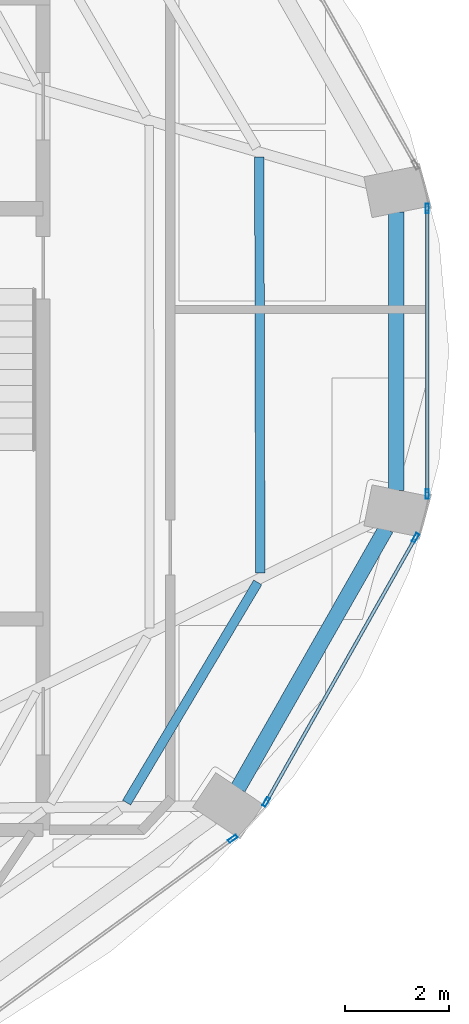
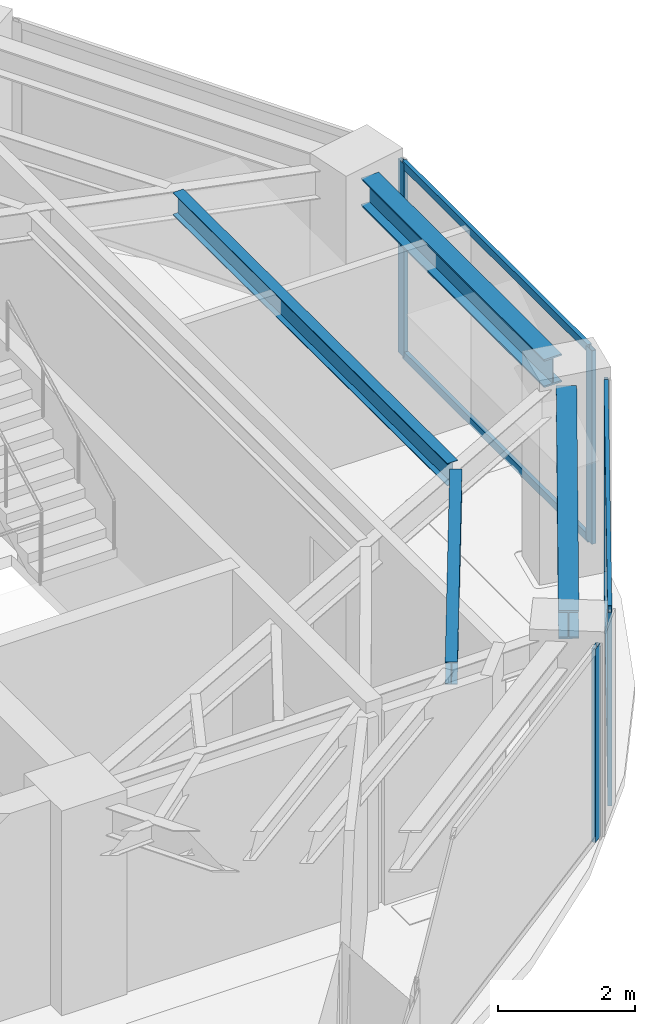
# One storey, part 5 of 12: 9 members, 4 beams, 3 elements without a shape of their own.
"""IFC4 building model written with IfcOpenShell, lengths in metres."""

from ifc_helpers import new_model, si_unit, direction, frame, origin, origin_2d, place, context, subcontext, project, spatial, hollow_rectangle, i_section, extrude, material, layer, layer_set, material_profile, profile_set, type_object, element, aggregate, save


model = new_model("IFC4")

# Units and contexts
model_context = context("Model", 3, precision=1e-05, world=origin(), true_north=direction((0.0, 1.0)))
body_context = subcontext(model_context, "Body", "Model", "MODEL_VIEW")
ifc_project = project(units=[si_unit("LENGTHUNIT", "METRE"), si_unit("AREAUNIT", "SQUARE_METRE"), si_unit("VOLUMEUNIT", "CUBIC_METRE"), si_unit("PLANEANGLEUNIT", "RADIAN"), si_unit("MASSUNIT", "GRAM", prefix="KILO")], contexts=[model_context])

# Site, building, storey
site_placement = place(None, origin())
site = spatial("IfcSite", under=ifc_project, at=site_placement, CompositionType="ELEMENT")
building_placement = place(site_placement, origin())
building = spatial("IfcBuilding", under=site, at=building_placement, Name="Lazwardi Medical Tower", CompositionType="ELEMENT")
storey_placement = place(building_placement, frame((0.0, 0.0, 291.50390625)))
storey = spatial("IfcBuildingStorey", under=building, at=storey_placement, Name="L76", CompositionType="ELEMENT", Elevation=291.50390625)

# Beams
ifc_material_1 = material(Name="Steel S355", Category="steel")
ifc_material_profile_1 = material_profile(ifc_material_1, i_section(OverallWidth=0.300048828125, OverallDepth=0.5, WebThickness=0.014404296875, FlangeThickness=0.028076171875, at=origin_2d()), Name="HEB 500")
ifc_profile_set_1 = profile_set([ifc_material_profile_1], Name="Steel S355")
beam_type_1 = type_object("IfcBeamType", Name="BM-RB-Z4", PredefinedType="BEAM", material=ifc_profile_set_1)
beam_1_placement = place(storey_placement, frame((54.15283203125, 20.81640625, 3.197998046875), z_axis=(0.495125273299, 0.868821594886, 0.0), x_axis=(-0.868821594886, 0.495125273299, 0.0)))
element("IfcBeam", 1, at=beam_1_placement, inside=storey, type_object=beam_type_1, Name="Ring beam RB-05 B03 L76", PredefinedType="BEAM", context=body_context, shape_type="SweptSolid", body=[
    extrude(i_section(OverallWidth=0.300048828125, OverallDepth=0.5, WebThickness=0.014404296875, FlangeThickness=0.028076171875, at=origin_2d()), origin(), (0.0, 0.0, 1.0), 5.734130859375),
])
beam_2_placement = place(storey_placement, frame((57.18505859375, 26.527099609375, 3.197998046875), z_axis=(0.0, 1.0, 0.0), x_axis=(-1.0, 0.0, 0.0)))
element("IfcBeam", 2, at=beam_2_placement, inside=storey, type_object=beam_type_1, Name="Ring beam RB-05 B04 L76", PredefinedType="BEAM", context=body_context, shape_type="SweptSolid", body=[
    extrude(i_section(OverallWidth=0.300048828125, OverallDepth=0.5, WebThickness=0.014404296875, FlangeThickness=0.028076171875, at=origin_2d()), origin(), (0.0, 0.0, 1.0), 5.345703125),
])
ifc_material_profile_2 = material_profile(ifc_material_1, i_section(OverallWidth=0.179931640625, OverallDepth=0.39990234375, WebThickness=0.008544921875, FlangeThickness=0.013427734375, at=origin_2d()), Name="IPE 400")
ifc_profile_set_2 = profile_set([ifc_material_profile_2], Name="Steel S355")
beam_type_2 = type_object("IfcBeamType", Name="BM-SJ-01", PredefinedType="JOIST", material=ifc_profile_set_2)
beam_3_placement = place(storey_placement, frame((52.015380859375, 20.54052734375, 3.248046875), z_axis=(0.511696806688, 0.859166094551, 0.0), x_axis=(-0.859166094551, 0.511696806688, 0.0)))
element("IfcBeam", 3, at=beam_3_placement, inside=storey, type_object=beam_type_2, Name="Secondary joist SJ-01 R1 B03 L76", PredefinedType="JOIST", context=body_context, shape_type="SweptSolid", body=[
    extrude(i_section(OverallWidth=0.179931640625, OverallDepth=0.39990234375, WebThickness=0.008544921875, FlangeThickness=0.013427734375, at=origin_2d()), origin(), (0.0, 0.0, 1.0), 4.917724609375),
])
beam_4_placement = place(storey_placement, frame((54.580078125, 24.942138671875, 3.248046875), z_axis=(-0.002538606287, 0.999996777734, 0.0), x_axis=(-0.999996777734, -0.002538606287, 0.0)))
element("IfcBeam", 4, at=beam_4_placement, inside=storey, type_object=beam_type_2, Name="Secondary joist SJ-01 R1 B04 L76", PredefinedType="JOIST", context=body_context, shape_type="SweptSolid", body=[
    extrude(i_section(OverallWidth=0.179931640625, OverallDepth=0.39990234375, WebThickness=0.008544921875, FlangeThickness=0.013427734375, at=origin_2d()), origin(), (0.0, 0.0, 1.0), 7.982177734375),
])

# Curtain wall, member
ifc_material_2 = material(Name="Anodised bronze aluminium and solar control glazing", Category="aluminium")
ifc_layer = layer(ifc_material_2, 0.18994140625)
ifc_layer_set = layer_set([ifc_layer], Name="Anodised bronze aluminium and solar control glazing")
curtain_wall_type = type_object("IfcCurtainWallType", Name="CW-SYS-04", PredefinedType="NOTDEFINED", material=ifc_layer_set)
curtain_wall_1_placement = place(storey_placement, origin())
curtain_wall_1 = element("IfcCurtainWall", 5, at=curtain_wall_1_placement, inside=storey, type_object=curtain_wall_type, Name="L76 Unitised bronze curtain wall CW-04", PredefinedType="NOTDEFINED")
ifc_material_3 = material(Name="Anodised bronze aluminium", Category="aluminium")
ifc_material_profile_3 = material_profile(ifc_material_3, hollow_rectangle(XDim=0.06494140625, YDim=0.179931640625, WallThickness=0.00390625, at=origin_2d()), Name="ALU-MULLION 180x65x4")
ifc_profile_set_3 = profile_set([ifc_material_profile_3], Name="Anodised bronze aluminium")
member_type_1 = type_object("IfcMemberType", Name="CW-MUL-03", PredefinedType="MULLION", material=ifc_profile_set_3)
member_1_placement = place(storey_placement, frame((54.052001953125, 19.848388671875, 0.0), z_axis=(0.0, 0.0, 1.0), x_axis=(-0.591268230971, 0.806474971121, 0.0)))
member_1 = element("IfcMember", 6, at=member_1_placement, type_object=member_type_1, Name="CW-04 mullion 2", PredefinedType="MULLION", context=body_context, shape_type="SweptSolid", body=[
    extrude(hollow_rectangle(XDim=0.06494140625, YDim=0.179931640625, WallThickness=0.00390625, at=origin_2d()), origin(), (0.0, 0.0, 1.0), 3.447998046875),
])
aggregate(curtain_wall_1, [member_1])

# Curtain wall, members
curtain_wall_2_placement = place(storey_placement, origin())
curtain_wall_2 = element("IfcCurtainWall", 7, at=curtain_wall_2_placement, inside=storey, type_object=curtain_wall_type, Name="L76 Unitised bronze curtain wall CW-04", PredefinedType="NOTDEFINED")
member_2_placement = place(storey_placement, frame((54.6943359375, 20.554443359375, 0.0), z_axis=(0.0, 0.0, 1.0), x_axis=(-0.870651436011, 0.491900474661, 0.0)))
member_2 = element("IfcMember", 8, at=member_2_placement, type_object=member_type_1, Name="CW-04 mullion 1", PredefinedType="MULLION", context=body_context, shape_type="SweptSolid", body=[
    extrude(hollow_rectangle(XDim=0.06494140625, YDim=0.179931640625, WallThickness=0.00390625, at=origin_2d()), origin(), (0.0, 0.0, 1.0), 3.447998046875),
])
member_3_placement = place(storey_placement, frame((57.557373046875, 25.621826171875, 0.0), z_axis=(0.0, 0.0, 1.0), x_axis=(-0.870651436011, 0.491900474661, 0.0)))
member_3 = element("IfcMember", 9, at=member_3_placement, type_object=member_type_1, Name="CW-04 mullion 2", PredefinedType="MULLION", context=body_context, shape_type="SweptSolid", body=[
    extrude(hollow_rectangle(XDim=0.06494140625, YDim=0.179931640625, WallThickness=0.00390625, at=origin_2d()), origin(), (0.0, 0.0, 1.0), 3.447998046875),
])

curtain_wall_3_placement = place(storey_placement, origin())
curtain_wall_3 = element("IfcCurtainWall", 10, at=curtain_wall_3_placement, inside=storey, type_object=curtain_wall_type, Name="L76 Unitised bronze curtain wall CW-04", PredefinedType="NOTDEFINED")
member_4_placement = place(storey_placement, frame((57.7841796875, 26.45947265625, 0.0), z_axis=(0.0, 0.0, 1.0), x_axis=(-1.0, 0.0, 0.0)))
member_4 = element("IfcMember", 11, at=member_4_placement, type_object=member_type_1, Name="CW-04 mullion 1", PredefinedType="MULLION", context=body_context, shape_type="SweptSolid", body=[
    extrude(hollow_rectangle(XDim=0.06494140625, YDim=0.179931640625, WallThickness=0.00390625, at=origin_2d()), origin(), (0.0, 0.0, 1.0), 3.447998046875),
])
member_5_placement = place(storey_placement, frame((57.7841796875, 31.9404296875, 0.0), z_axis=(0.0, 0.0, 1.0), x_axis=(-1.0, 0.0, 0.0)))
member_5 = element("IfcMember", 12, at=member_5_placement, type_object=member_type_1, Name="CW-04 mullion 2", PredefinedType="MULLION", context=body_context, shape_type="SweptSolid", body=[
    extrude(hollow_rectangle(XDim=0.06494140625, YDim=0.179931640625, WallThickness=0.00390625, at=origin_2d()), origin(), (0.0, 0.0, 1.0), 3.447998046875),
])

# Member
ifc_material_profile_4 = material_profile(ifc_material_3, hollow_rectangle(XDim=0.06494140625, YDim=0.139892578125, WallThickness=0.00341796875, at=origin_2d()), Name="ALU-TRANSOM 140x65x3.5")
ifc_profile_set_4 = profile_set([ifc_material_profile_4], Name="Anodised bronze aluminium")
member_type_2 = type_object("IfcMemberType", Name="CW-TRN-03", PredefinedType="USERDEFINED", material=ifc_profile_set_4)
member_6_placement = place(storey_placement, frame((54.71044921875, 20.582763671875, 0.03271484375), z_axis=(0.491879719484, 0.87066316194, 0.0), x_axis=(-0.87066316194, 0.491879719484, 0.0)))
member_6 = element("IfcMember", 13, at=member_6_placement, type_object=member_type_2, Name="CW-04 transom 1.1", ObjectType="TRANSOM", PredefinedType="USERDEFINED", context=body_context, shape_type="SweptSolid", body=[
    extrude(hollow_rectangle(XDim=0.06494140625, YDim=0.139892578125, WallThickness=0.00341796875, at=origin_2d()), origin(), (0.0, 0.0, 1.0), 5.755126953125),
])

member_7_placement = place(storey_placement, frame((54.71044921875, 20.582763671875, 3.41552734375), z_axis=(0.491879719484, 0.87066316194, 0.0), x_axis=(-0.87066316194, 0.491879719484, 0.0)))
member_7 = element("IfcMember", 14, at=member_7_placement, type_object=member_type_2, Name="CW-04 transom 1.2", ObjectType="TRANSOM", PredefinedType="USERDEFINED", context=body_context, shape_type="SweptSolid", body=[
    extrude(hollow_rectangle(XDim=0.06494140625, YDim=0.139892578125, WallThickness=0.00341796875, at=origin_2d()), origin(), (0.0, 0.0, 1.0), 5.755126953125),
])

aggregate(curtain_wall_2, [member_2, member_3, member_6, member_7])

member_8_placement = place(storey_placement, frame((57.7841796875, 26.491943359375, 0.03271484375), z_axis=(0.0, 1.0, 0.0), x_axis=(-1.0, 0.0, 0.0)))
member_8 = element("IfcMember", 15, at=member_8_placement, type_object=member_type_2, Name="CW-04 transom 1.1", ObjectType="TRANSOM", PredefinedType="USERDEFINED", context=body_context, shape_type="SweptSolid", body=[
    extrude(hollow_rectangle(XDim=0.06494140625, YDim=0.139892578125, WallThickness=0.00341796875, at=origin_2d()), origin(), (0.0, 0.0, 1.0), 5.416015625),
])

member_9_placement = place(storey_placement, frame((57.7841796875, 26.491943359375, 3.41552734375), z_axis=(0.0, 1.0, 0.0), x_axis=(-1.0, 0.0, 0.0)))
member_9 = element("IfcMember", 16, at=member_9_placement, type_object=member_type_2, Name="CW-04 transom 1.2", ObjectType="TRANSOM", PredefinedType="USERDEFINED", context=body_context, shape_type="SweptSolid", body=[
    extrude(hollow_rectangle(XDim=0.06494140625, YDim=0.139892578125, WallThickness=0.00341796875, at=origin_2d()), origin(), (0.0, 0.0, 1.0), 5.416015625),
])

aggregate(curtain_wall_3, [member_4, member_5, member_8, member_9])

save(model, "model.ifc")
